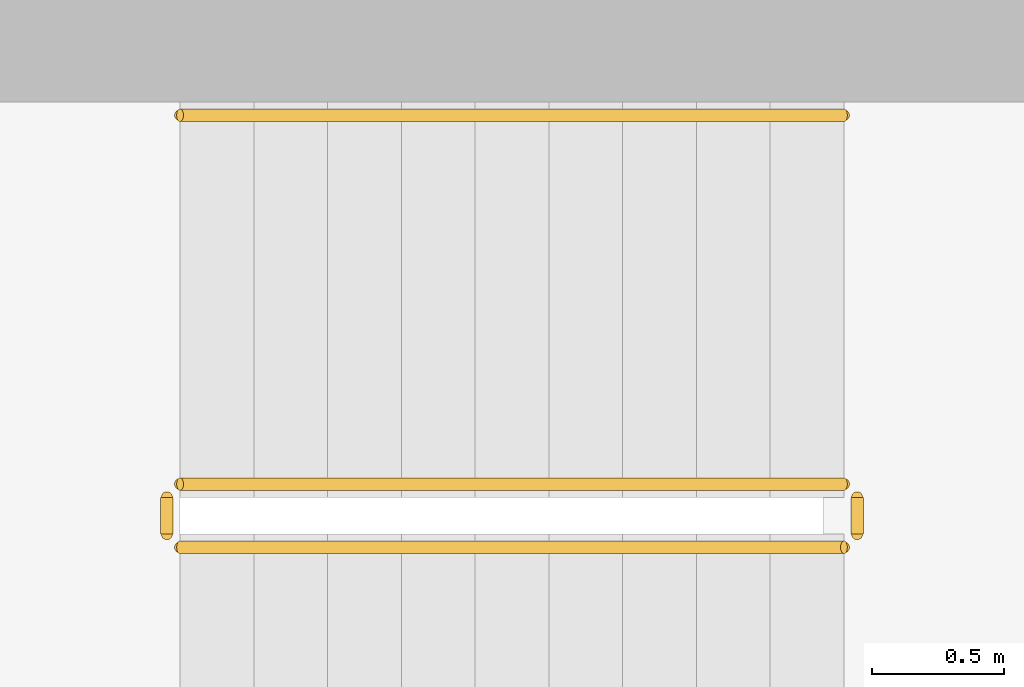
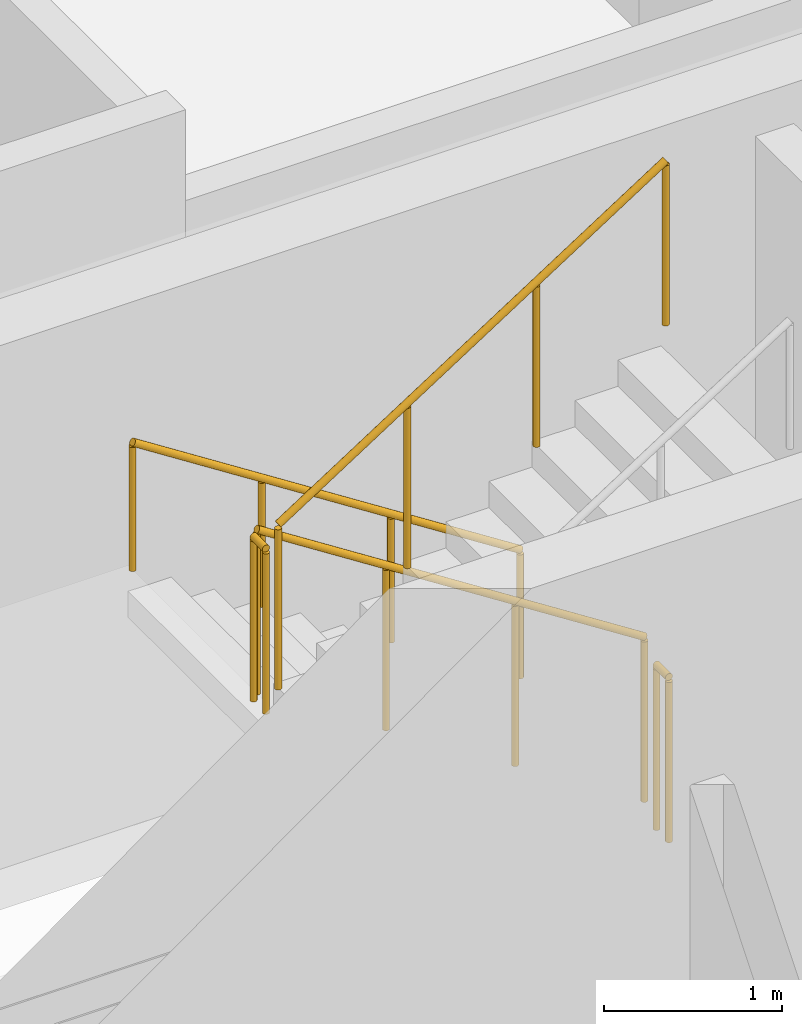
# One storey, part 12 of 13: 5 railings.
"""IFC4 building model written with IfcOpenShell, lengths in metres."""

from ifc_helpers import new_model, si_unit, derived_unit, direction, frame, origin, origin_2d, place, context, subcontext, project, spatial, circle, extrude, material, type_object, element, save


model = new_model("IFC4")

# Units and contexts
model_context = context("Model", 3, precision=1e-05, world=origin(), true_north=direction((0.0, 1.0)))
body_context = subcontext(model_context, "Body", "Model", "MODEL_VIEW")
ifc_project = project(units=[si_unit("LENGTHUNIT", "METRE"), si_unit("AREAUNIT", "SQUARE_METRE"), si_unit("VOLUMEUNIT", "CUBIC_METRE"), si_unit("PLANEANGLEUNIT", "RADIAN"), si_unit("MASSUNIT", "GRAM", prefix="KILO"), derived_unit("THERMALTRANSMITTANCEUNIT", [(si_unit("POWERUNIT", "WATT"), 1), (si_unit("LENGTHUNIT", "METRE"), -2), (si_unit("THERMODYNAMICTEMPERATUREUNIT", "KELVIN"), -1)])], contexts=[model_context])

# Site, building, storey
site_placement = place(None, origin())
site = spatial("IfcSite", under=ifc_project, at=site_placement, CompositionType="ELEMENT")
building_placement = place(site_placement, origin())
building = spatial("IfcBuilding", under=site, at=building_placement, Name="Kivonza Crest Hotel", CompositionType="ELEMENT")
storey_placement = place(building_placement, frame((0.0, 0.0, 220.699951171875)))
storey = spatial("IfcBuildingStorey", under=building, at=storey_placement, Name="L60", CompositionType="ELEMENT", Elevation=220.699951171875)

# Railings
ifc_material_1 = material(Name="Brushed stainless steel handrail", Category="steel")
railing_type_1 = type_object("IfcRailingType", Name="RL-HAND-900", PredefinedType="HANDRAIL", material=ifc_material_1)
railing_1_placement = place(storey_placement, frame((12.239990234375, 36.110107421875, 0.179931640625)))
element("IfcRailing", 1, at=railing_1_placement, inside=storey, type_object=railing_type_1, Name="L60 ST-T1-N stair handrail 1", PredefinedType="HANDRAIL", context=body_context, shape_type="SweptSolid", body=[
    extrude(circle(Radius=0.02392578125, at=origin_2d()), frame((0.0, 0.0, 0.8759765625), z_axis=(-0.841162588446, 0.0, 0.540782303519), x_axis=(0.0, -1.0, 0.0)), (0.0, 0.0, 1.0), 2.995849609375),
    extrude(circle(Radius=0.02099609375, at=origin_2d()), origin(), (0.0, 0.0, 1.0), 0.851806640625),
    extrude(circle(Radius=0.02099609375, at=origin_2d()), frame((-0.840087890625, 0.0, 0.5400390625)), (0.0, 0.0, 1.0), 0.851806640625),
    extrude(circle(Radius=0.02099609375, at=origin_2d()), frame((-1.679931640625, 0.0, 1.080078125)), (0.0, 0.0, 1.0), 0.851806640625),
    extrude(circle(Radius=0.02099609375, at=origin_2d()), frame((-2.52001953125, 0.0, 1.6201171875)), (0.0, 0.0, 1.0), 0.851806640625),
])
ifc_material_2 = material(Name="Painted steel balustrade", Category="steel")
railing_type_2 = type_object("IfcRailingType", Name="RL-STAIR-1150", PredefinedType="BALUSTRADE", material=ifc_material_2)
railing_2_placement = place(storey_placement, frame((12.239990234375, 34.7099609375, 0.179931640625)))
element("IfcRailing", 2, at=railing_2_placement, inside=storey, type_object=railing_type_2, Name="L60 ST-T1-N stair guard 1", PredefinedType="BALUSTRADE", context=body_context, shape_type="SweptSolid", body=[
    extrude(circle(Radius=0.02392578125, at=origin_2d()), frame((0.0, 0.0, 1.1259765625), z_axis=(-0.841162588446, 0.0, 0.540782303519), x_axis=(0.0, -1.0, 0.0)), (0.0, 0.0, 1.0), 2.995849609375),
    extrude(circle(Radius=0.02099609375, at=origin_2d()), origin(), (0.0, 0.0, 1.0), 1.101806640625),
    extrude(circle(Radius=0.02099609375, at=origin_2d()), frame((-0.840087890625, 0.0, 0.5400390625)), (0.0, 0.0, 1.0), 1.101806640625),
    extrude(circle(Radius=0.02099609375, at=origin_2d()), frame((-1.679931640625, 0.0, 1.080078125)), (0.0, 0.0, 1.0), 1.101806640625),
    extrude(circle(Radius=0.02099609375, at=origin_2d()), frame((-2.52001953125, 0.0, 1.6201171875)), (0.0, 0.0, 1.0), 1.101806640625),
])
railing_3_placement = place(storey_placement, frame((9.669921875, 34.659912109375, 1.800048828125)))
element("IfcRailing", 3, at=railing_3_placement, inside=storey, type_object=railing_type_2, Name="L60 ST-T1-N stair guard 2", PredefinedType="BALUSTRADE", context=body_context, shape_type="SweptSolid", body=[
    extrude(circle(Radius=0.02392578125, at=origin_2d()), frame((0.0, 0.0, 1.1259765625), z_axis=(0.0, -1.0, 0.0), x_axis=(1.0, 0.0, 0.0)), (0.0, 0.0, 1.0), 0.139892578125),
    extrude(circle(Radius=0.02099609375, at=origin_2d()), origin(), (0.0, 0.0, 1.0), 1.101806640625),
    extrude(circle(Radius=0.02099609375, at=origin_2d()), frame((0.0, -0.139892578125, 0.0)), (0.0, 0.0, 1.0), 1.101806640625),
])
railing_4_placement = place(storey_placement, frame((9.719970703125, 34.469970703125, 1.97998046875)))
element("IfcRailing", 4, at=railing_4_placement, inside=storey, type_object=railing_type_2, Name="L60 ST-T1-N stair guard 3", PredefinedType="BALUSTRADE", context=body_context, shape_type="SweptSolid", body=[
    extrude(circle(Radius=0.02392578125, at=origin_2d()), frame((0.0, 0.0, 1.1259765625), z_axis=(0.841162588446, 0.0, 0.540782303519), x_axis=(0.0, 1.0, 0.0)), (0.0, 0.0, 1.0), 2.995849609375),
    extrude(circle(Radius=0.02099609375, at=origin_2d()), origin(), (0.0, 0.0, 1.0), 1.101806640625),
    extrude(circle(Radius=0.02099609375, at=origin_2d()), frame((0.840087890625, 0.0, 0.5400390625)), (0.0, 0.0, 1.0), 1.101806640625),
    extrude(circle(Radius=0.02099609375, at=origin_2d()), frame((1.679931640625, 0.0, 1.080078125)), (0.0, 0.0, 1.0), 1.101806640625),
    extrude(circle(Radius=0.02099609375, at=origin_2d()), frame((2.52001953125, 0.0, 1.6201171875)), (0.0, 0.0, 1.0), 1.101806640625),
])
railing_5_placement = place(storey_placement, frame((12.2900390625, 34.659912109375, 0.0)))
element("IfcRailing", 5, at=railing_5_placement, inside=storey, type_object=railing_type_2, Name="L60 ST-T1-N stair guard 4", PredefinedType="BALUSTRADE", context=body_context, shape_type="SweptSolid", body=[
    extrude(circle(Radius=0.02392578125, at=origin_2d()), frame((0.0, 0.0, 1.1259765625), z_axis=(0.0, -1.0, 0.0), x_axis=(1.0, 0.0, 0.0)), (0.0, 0.0, 1.0), 0.139892578125),
    extrude(circle(Radius=0.02099609375, at=origin_2d()), origin(), (0.0, 0.0, 1.0), 1.101806640625),
    extrude(circle(Radius=0.02099609375, at=origin_2d()), frame((0.0, -0.139892578125, 0.0)), (0.0, 0.0, 1.0), 1.101806640625),
])

save(model, "model.ifc")
